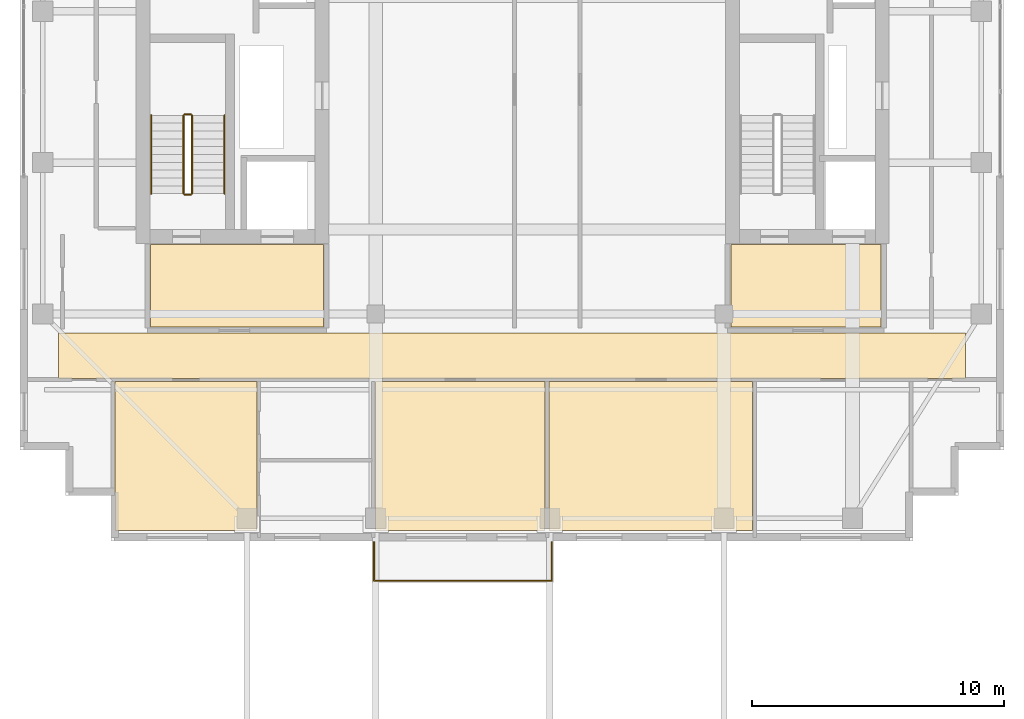
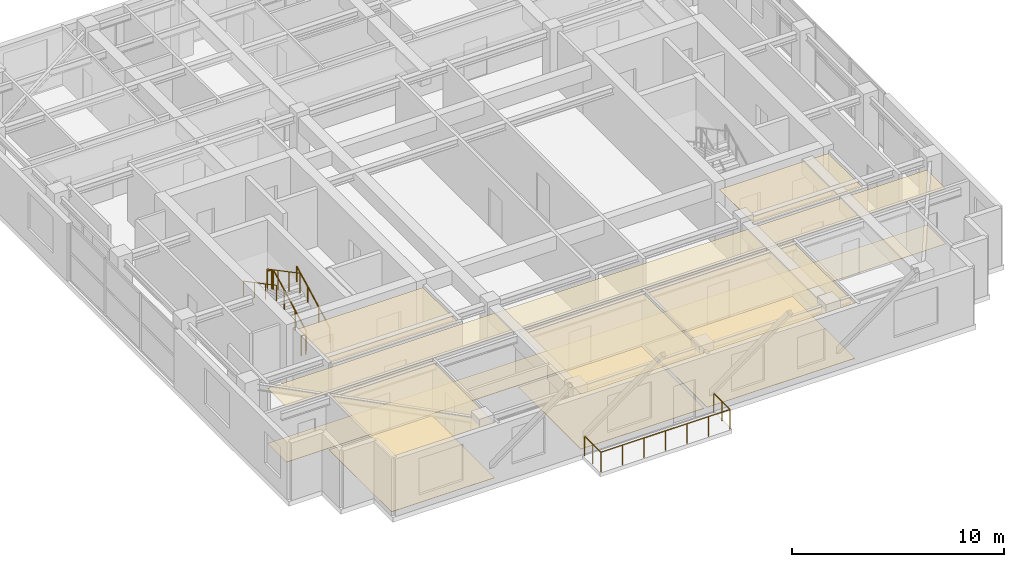
# One storey, part 12 of 14: 10 coverings, 7 railings.
"""IFC4 building model written with IfcOpenShell, lengths in metres."""

from ifc_helpers import new_model, si_unit, direction, frame, origin, origin_2d, place, context, subcontext, project, spatial, polyline, circle, outline, extrude, material, layer, layer_set, type_object, element, save


model = new_model("IFC4")

# Units and contexts
model_context = context("Model", 3, precision=1e-05, world=origin(), true_north=direction((0.0, 1.0)))
body_context = subcontext(model_context, "Body", "Model", "MODEL_VIEW")
ifc_project = project(units=[si_unit("LENGTHUNIT", "METRE"), si_unit("AREAUNIT", "SQUARE_METRE"), si_unit("VOLUMEUNIT", "CUBIC_METRE"), si_unit("PLANEANGLEUNIT", "RADIAN"), si_unit("MASSUNIT", "GRAM", prefix="KILO")], contexts=[model_context])

# Site, building, storey
site_placement = place(None, origin())
site = spatial("IfcSite", under=ifc_project, at=site_placement, CompositionType="ELEMENT")
building_placement = place(site_placement, origin())
building = spatial("IfcBuilding", under=site, at=building_placement, Name="Khoralis Quay Care Tower", CompositionType="ELEMENT")
storey_placement = place(building_placement, frame((0.0, 0.0, 274.5)))
storey = spatial("IfcBuildingStorey", under=building, at=storey_placement, Name="L72", CompositionType="ELEMENT", Elevation=274.5)

# Coverings
ifc_material_1 = material(Name="Mineral-fibre acoustic ceiling tile")
ifc_layer_1 = layer(ifc_material_1, 0.01806640625)
ifc_layer_set_1 = layer_set([ifc_layer_1], Name="Mineral-fibre acoustic ceiling tile")
covering_type_1 = type_object("IfcCoveringType", Name="COV-CEIL-AC18", PredefinedType="CEILING", material=ifc_layer_set_1)
covering_1_placement = place(storey_placement, frame((0.0, 0.0, 3.172119140625)))
element("IfcCovering", 1, at=covering_1_placement, inside=storey, type_object=covering_type_1, Name="Suspended Acoustic Ceiling SP-L72-FFLOB-W", PredefinedType="CEILING", context=body_context, shape_type="SweptSolid", body=[
    extrude(outline(polyline([(8.179931640625, 11.47998046875), (15.02001953125, 11.47998046875), (15.02001953125, 14.75), (8.179931640625, 14.75), (8.179931640625, 11.47998046875)])), origin(), (0.0, 0.0, 1.0), 0.017822265625),
])
covering_2_placement = place(storey_placement, frame((0.0, 0.0, 3.172119140625)))
element("IfcCovering", 2, at=covering_2_placement, inside=storey, type_object=covering_type_1, Name="Suspended Acoustic Ceiling SP-L72-FFLOB-E", PredefinedType="CEILING", context=body_context, shape_type="SweptSolid", body=[
    extrude(outline(polyline([(31.179931640625, 11.47998046875), (37.1201171875, 11.47998046875), (37.1201171875, 14.75), (31.179931640625, 14.75), (31.179931640625, 11.47998046875)])), origin(), (0.0, 0.0, 1.0), 0.017822265625),
])
covering_3_placement = place(storey_placement, frame((0.0, 0.0, 3.172119140625)))
element("IfcCovering", 3, at=covering_3_placement, inside=storey, type_object=covering_type_1, Name="Suspended Acoustic Ceiling SP-L72-CORR-S", PredefinedType="CEILING", context=body_context, shape_type="SweptSolid", body=[
    extrude(outline(polyline([(4.52001953125, 9.43994140625), (40.47998046875, 9.43994140625), (40.47998046875, 11.239990234375), (4.52001953125, 11.239990234375), (4.52001953125, 9.43994140625)])), origin(), (0.0, 0.0, 1.0), 0.017822265625),
])
covering_4_placement = place(storey_placement, frame((0.0, 0.0, 3.172119140625)))
element("IfcCovering", 4, at=covering_4_placement, inside=storey, type_object=covering_type_1, Name="Suspended Acoustic Ceiling SP-L72-SB-STU0", PredefinedType="CEILING", context=body_context, shape_type="SweptSolid", body=[
    extrude(outline(polyline([(6.760009765625, 3.419921875), (12.385009765625, 3.419921875), (12.385009765625, 9.320068359375), (6.760009765625, 9.320068359375), (6.760009765625, 3.419921875)])), origin(), (0.0, 0.0, 1.0), 0.017822265625),
])
covering_5_placement = place(storey_placement, frame((0.0, 0.0, 3.172119140625)))
element("IfcCovering", 5, at=covering_5_placement, inside=storey, type_object=covering_type_1, Name="Suspended Acoustic Ceiling SP-L72-SB-COM1", PredefinedType="CEILING", context=body_context, shape_type="SweptSolid", body=[
    extrude(outline(polyline([(17.090087890625, 3.419921875), (23.81005859375, 3.419921875), (23.81005859375, 9.320068359375), (17.090087890625, 9.320068359375), (17.090087890625, 3.419921875)])), origin(), (0.0, 0.0, 1.0), 0.017822265625),
])
covering_6_placement = place(storey_placement, frame((0.0, 0.0, 3.172119140625)))
element("IfcCovering", 6, at=covering_6_placement, inside=storey, type_object=covering_type_1, Name="Suspended Acoustic Ceiling SP-L72-SB-COM2", PredefinedType="CEILING", context=body_context, shape_type="SweptSolid", body=[
    extrude(outline(polyline([(23.969970703125, 3.419921875), (32.0400390625, 3.419921875), (32.0400390625, 9.320068359375), (23.969970703125, 9.320068359375), (23.969970703125, 3.419921875)])), origin(), (0.0, 0.0, 1.0), 0.017822265625),
])
ifc_material_2 = material(Name="Porcelain and non-slip vinyl flooring")
ifc_layer_2 = layer(ifc_material_2, 0.02001953125)
ifc_layer_set_2 = layer_set([ifc_layer_2], Name="Porcelain and non-slip vinyl flooring")
covering_type_2 = type_object("IfcCoveringType", Name="COV-FLOOR-20", PredefinedType="FLOORING", material=ifc_layer_set_2)
covering_7_placement = place(storey_placement, origin())
element("IfcCovering", 7, at=covering_7_placement, inside=storey, type_object=covering_type_2, Name="Resilient Healthcare Flooring SP-L72-CORR-S", PredefinedType="FLOORING", context=body_context, shape_type="SweptSolid", body=[
    extrude(outline(polyline([(4.52001953125, 9.43994140625), (40.47998046875, 9.43994140625), (40.47998046875, 11.239990234375), (4.52001953125, 11.239990234375), (4.52001953125, 9.43994140625)])), origin(), (0.0, 0.0, 1.0), 0.02001953125),
])
covering_8_placement = place(storey_placement, origin())
element("IfcCovering", 8, at=covering_8_placement, inside=storey, type_object=covering_type_2, Name="Resilient Healthcare Flooring SP-L72-SB-STU0", PredefinedType="FLOORING", context=body_context, shape_type="SweptSolid", body=[
    extrude(outline(polyline([(6.760009765625, 3.419921875), (12.385009765625, 3.419921875), (12.385009765625, 9.320068359375), (6.760009765625, 9.320068359375), (6.760009765625, 3.419921875)])), origin(), (0.0, 0.0, 1.0), 0.02001953125),
])
covering_9_placement = place(storey_placement, origin())
element("IfcCovering", 9, at=covering_9_placement, inside=storey, type_object=covering_type_2, Name="Resilient Healthcare Flooring SP-L72-SB-COM1", PredefinedType="FLOORING", context=body_context, shape_type="SweptSolid", body=[
    extrude(outline(polyline([(17.090087890625, 3.419921875), (23.81005859375, 3.419921875), (23.81005859375, 9.320068359375), (17.090087890625, 9.320068359375), (17.090087890625, 3.419921875)])), origin(), (0.0, 0.0, 1.0), 0.02001953125),
])
covering_10_placement = place(storey_placement, origin())
element("IfcCovering", 10, at=covering_10_placement, inside=storey, type_object=covering_type_2, Name="Resilient Healthcare Flooring SP-L72-SB-COM2", PredefinedType="FLOORING", context=body_context, shape_type="SweptSolid", body=[
    extrude(outline(polyline([(23.969970703125, 3.419921875), (32.0400390625, 3.419921875), (32.0400390625, 9.320068359375), (23.969970703125, 9.320068359375), (23.969970703125, 3.419921875)])), origin(), (0.0, 0.0, 1.0), 0.02001953125),
])

# Railings
ifc_material_3 = material(Name="Pale anodised aluminium", Category="aluminium")
railing_type_1 = type_object("IfcRailingType", Name="RL-BALUST-1150", PredefinedType="BALUSTRADE", material=ifc_material_3)
railing_1_placement = place(storey_placement, frame((17.030029296875, 2.9599609375, -0.06005859375)))
element("IfcRailing", 11, at=railing_1_placement, inside=storey, type_object=railing_type_1, Name="L72 Senior Loggia Balcony Guard", PredefinedType="BALUSTRADE", context=body_context, shape_type="SweptSolid", body=[
    extrude(circle(Radius=0.02392578125, at=origin_2d()), frame((0.0, 0.0, 1.1259765625), z_axis=(0.0, -1.0, 0.0), x_axis=(1.0, 0.0, 0.0)), (0.0, 0.0, 1.0), 1.530029296875),
    extrude(circle(Radius=0.02392578125, at=origin_2d()), frame((0.0, -1.530029296875, 1.1259765625), z_axis=(1.0, 0.0, 0.0), x_axis=(0.0, 1.0, 0.0)), (0.0, 0.0, 1.0), 7.0400390625),
    extrude(circle(Radius=0.02392578125, at=origin_2d()), frame((7.0400390625, -1.530029296875, 1.1259765625), z_axis=(0.0, 1.0, 0.0), x_axis=(-1.0, 0.0, 0.0)), (0.0, 0.0, 1.0), 1.530029296875),
    extrude(circle(Radius=0.02099609375, at=origin_2d()), origin(), (0.0, 0.0, 1.0), 1.101806640625),
    extrude(circle(Radius=0.02099609375, at=origin_2d()), frame((0.0, -0.76513671875, 0.0)), (0.0, 0.0, 1.0), 1.101806640625),
    extrude(circle(Radius=0.02099609375, at=origin_2d()), frame((0.0, -1.530029296875, 0.0)), (0.0, 0.0, 1.0), 1.101806640625),
    extrude(circle(Radius=0.02099609375, at=origin_2d()), frame((1.17333984375, -1.530029296875, 0.0)), (0.0, 0.0, 1.0), 1.101806640625),
    extrude(circle(Radius=0.02099609375, at=origin_2d()), frame((2.3466796875, -1.530029296875, 0.0)), (0.0, 0.0, 1.0), 1.101806640625),
    extrude(circle(Radius=0.02099609375, at=origin_2d()), frame((3.52001953125, -1.530029296875, 0.0)), (0.0, 0.0, 1.0), 1.101806640625),
    extrude(circle(Radius=0.02099609375, at=origin_2d()), frame((4.693359375, -1.530029296875, 0.0)), (0.0, 0.0, 1.0), 1.101806640625),
    extrude(circle(Radius=0.02099609375, at=origin_2d()), frame((5.86669921875, -1.530029296875, 0.0)), (0.0, 0.0, 1.0), 1.101806640625),
    extrude(circle(Radius=0.02099609375, at=origin_2d()), frame((7.0400390625, -1.530029296875, 0.0)), (0.0, 0.0, 1.0), 1.101806640625),
    extrude(circle(Radius=0.02099609375, at=origin_2d()), frame((7.0400390625, -0.76513671875, 0.0)), (0.0, 0.0, 1.0), 1.101806640625),
    extrude(circle(Radius=0.02099609375, at=origin_2d()), frame((7.0400390625, 0.0, 0.0)), (0.0, 0.0, 1.0), 1.101806640625),
])
ifc_material_4 = material(Name="Brushed stainless steel", Category="steel")
railing_type_2 = type_object("IfcRailingType", Name="RL-GUARD-1150", PredefinedType="GUARDRAIL", material=ifc_material_4)
railing_2_placement = place(storey_placement, frame((9.820068359375, 16.77001953125, 0.16357421875)))
element("IfcRailing", 12, at=railing_2_placement, inside=storey, type_object=railing_type_2, Name="L72 ST-T1 stair guard 1", PredefinedType="GUARDRAIL", context=body_context, shape_type="SweptSolid", body=[
    extrude(circle(Radius=0.02392578125, at=origin_2d()), frame((0.0, 0.0, 1.1259765625), z_axis=(0.0, 0.884348015382, 0.466828220752), x_axis=(-1.0, 0.0, 0.0)), (0.0, 0.0, 1.0), 3.505615234375),
    extrude(circle(Radius=0.02099609375, at=origin_2d()), origin(), (0.0, 0.0, 1.0), 1.101806640625),
    extrude(circle(Radius=0.02099609375, at=origin_2d()), frame((0.0, 1.033447265625, 0.54541015625)), (0.0, 0.0, 1.0), 1.101806640625),
    extrude(circle(Radius=0.02099609375, at=origin_2d()), frame((0.0, 2.066650390625, 1.091064453125)), (0.0, 0.0, 1.0), 1.101806640625),
    extrude(circle(Radius=0.02099609375, at=origin_2d()), frame((0.0, 3.10009765625, 1.636474609375)), (0.0, 0.0, 1.0), 1.101806640625),
])
railing_3_placement = place(storey_placement, frame((9.77001953125, 19.919921875, 1.800048828125)))
element("IfcRailing", 13, at=railing_3_placement, inside=storey, type_object=railing_type_2, Name="L72 ST-T1 stair guard 2", PredefinedType="GUARDRAIL", context=body_context, shape_type="SweptSolid", body=[
    extrude(circle(Radius=0.02392578125, at=origin_2d()), frame((0.0, 0.0, 1.1259765625), z_axis=(-1.0, 0.0, 0.0), x_axis=(0.0, -1.0, 0.0)), (0.0, 0.0, 1.0), 0.239990234375),
    extrude(circle(Radius=0.02099609375, at=origin_2d()), origin(), (0.0, 0.0, 1.0), 1.101806640625),
    extrude(circle(Radius=0.02099609375, at=origin_2d()), frame((-0.239990234375, 0.0, 0.0)), (0.0, 0.0, 1.0), 1.101806640625),
])
railing_4_placement = place(storey_placement, frame((9.47998046875, 19.8701171875, 1.963623046875)))
element("IfcRailing", 14, at=railing_4_placement, inside=storey, type_object=railing_type_2, Name="L72 ST-T1 stair guard 3", PredefinedType="GUARDRAIL", context=body_context, shape_type="SweptSolid", body=[
    extrude(circle(Radius=0.02392578125, at=origin_2d()), frame((0.0, 0.0, 1.1259765625), z_axis=(0.0, -0.884348015382, 0.466828220752), x_axis=(1.0, 0.0, 0.0)), (0.0, 0.0, 1.0), 3.505615234375),
    extrude(circle(Radius=0.02099609375, at=origin_2d()), origin(), (0.0, 0.0, 1.0), 1.101806640625),
    extrude(circle(Radius=0.02099609375, at=origin_2d()), frame((0.0, -1.033447265625, 0.54541015625)), (0.0, 0.0, 1.0), 1.101806640625),
    extrude(circle(Radius=0.02099609375, at=origin_2d()), frame((0.0, -2.066650390625, 1.091064453125)), (0.0, 0.0, 1.0), 1.101806640625),
    extrude(circle(Radius=0.02099609375, at=origin_2d()), frame((0.0, -3.10009765625, 1.636474609375)), (0.0, 0.0, 1.0), 1.101806640625),
])
railing_5_placement = place(storey_placement, frame((9.77001953125, 16.719970703125, 0.0)))
element("IfcRailing", 15, at=railing_5_placement, inside=storey, type_object=railing_type_2, Name="L72 ST-T1 stair guard 4", PredefinedType="GUARDRAIL", context=body_context, shape_type="SweptSolid", body=[
    extrude(circle(Radius=0.02392578125, at=origin_2d()), frame((0.0, 0.0, 1.1259765625), z_axis=(-1.0, 0.0, 0.0), x_axis=(0.0, -1.0, 0.0)), (0.0, 0.0, 1.0), 0.239990234375),
    extrude(circle(Radius=0.02099609375, at=origin_2d()), origin(), (0.0, 0.0, 1.0), 1.101806640625),
    extrude(circle(Radius=0.02099609375, at=origin_2d()), frame((-0.239990234375, 0.0, 0.0)), (0.0, 0.0, 1.0), 1.101806640625),
])
railing_type_3 = type_object("IfcRailingType", Name="RL-HAND-900", PredefinedType="HANDRAIL", material=ifc_material_4)
railing_6_placement = place(storey_placement, frame((11.10009765625, 16.77001953125, 0.16357421875)))
element("IfcRailing", 16, at=railing_6_placement, inside=storey, type_object=railing_type_3, Name="L72 ST-T1 stair handrail 1", PredefinedType="HANDRAIL", context=body_context, shape_type="SweptSolid", body=[
    extrude(circle(Radius=0.02392578125, at=origin_2d()), frame((0.0, 0.0, 0.8759765625), z_axis=(0.0, 0.884348015382, 0.466828220752), x_axis=(-1.0, 0.0, 0.0)), (0.0, 0.0, 1.0), 3.505615234375),
    extrude(circle(Radius=0.02099609375, at=origin_2d()), origin(), (0.0, 0.0, 1.0), 0.851806640625),
    extrude(circle(Radius=0.02099609375, at=origin_2d()), frame((0.0, 1.033447265625, 0.54541015625)), (0.0, 0.0, 1.0), 0.851806640625),
    extrude(circle(Radius=0.02099609375, at=origin_2d()), frame((0.0, 2.066650390625, 1.091064453125)), (0.0, 0.0, 1.0), 0.851806640625),
    extrude(circle(Radius=0.02099609375, at=origin_2d()), frame((0.0, 3.10009765625, 1.636474609375)), (0.0, 0.0, 1.0), 0.851806640625),
])
railing_7_placement = place(storey_placement, frame((8.199951171875, 19.8701171875, 1.963623046875)))
element("IfcRailing", 17, at=railing_7_placement, inside=storey, type_object=railing_type_3, Name="L72 ST-T1 stair handrail 2", PredefinedType="HANDRAIL", context=body_context, shape_type="SweptSolid", body=[
    extrude(circle(Radius=0.02392578125, at=origin_2d()), frame((0.0, 0.0, 0.8759765625), z_axis=(0.0, -0.884348015382, 0.466828220752), x_axis=(1.0, 0.0, 0.0)), (0.0, 0.0, 1.0), 3.505615234375),
    extrude(circle(Radius=0.02099609375, at=origin_2d()), origin(), (0.0, 0.0, 1.0), 0.851806640625),
    extrude(circle(Radius=0.02099609375, at=origin_2d()), frame((0.0, -1.033447265625, 0.54541015625)), (0.0, 0.0, 1.0), 0.851806640625),
    extrude(circle(Radius=0.02099609375, at=origin_2d()), frame((0.0, -2.066650390625, 1.091064453125)), (0.0, 0.0, 1.0), 0.851806640625),
    extrude(circle(Radius=0.02099609375, at=origin_2d()), frame((0.0, -3.10009765625, 1.636474609375)), (0.0, 0.0, 1.0), 0.851806640625),
])

save(model, "model.ifc")
